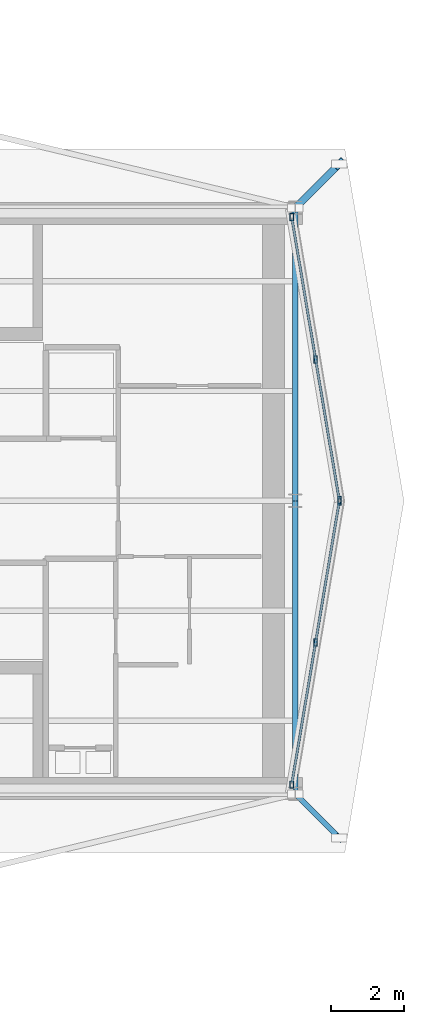
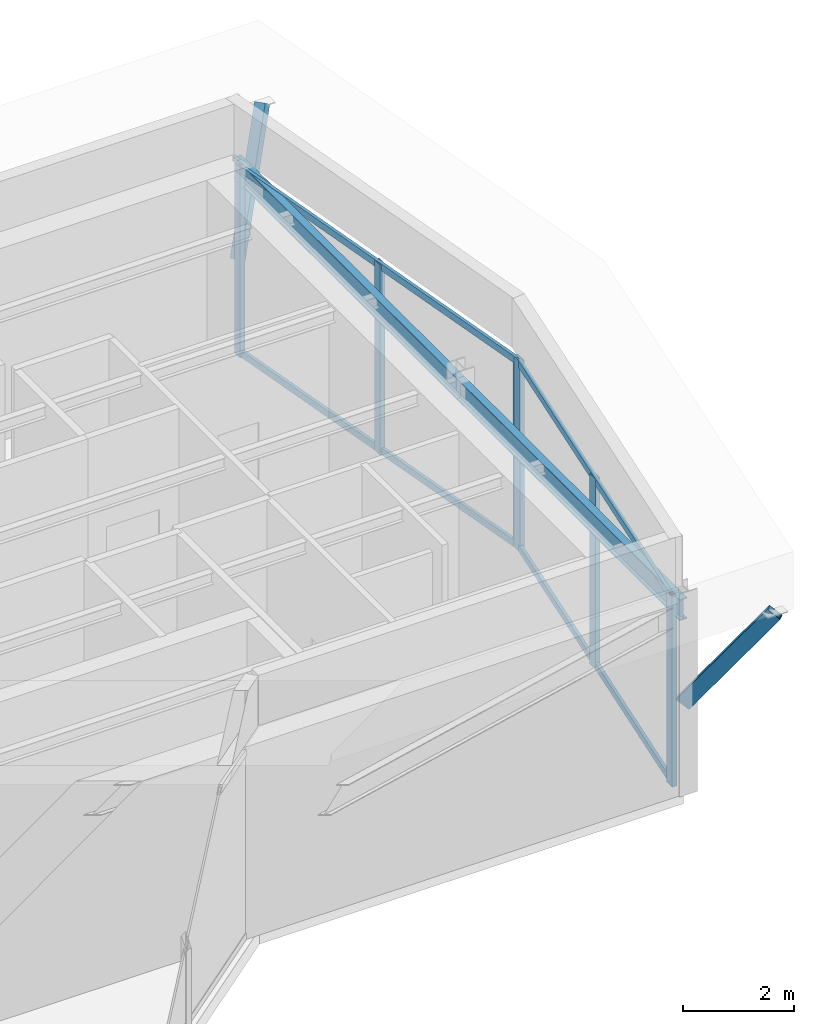
# One storey, part 7 of 11: 12 members, 2 beams, 2 elements without a shape of their own.
"""IFC4 building model written with IfcOpenShell, lengths in metres."""

from ifc_helpers import new_model, si_unit, direction, frame, origin, origin_2d, place, context, subcontext, project, spatial, hollow_rectangle, i_section, extrude, material, layer, layer_set, material_profile, profile_set, type_object, element, aggregate, save


model = new_model("IFC4")

# Units and contexts
model_context = context("Model", 3, precision=1e-05, world=origin(), true_north=direction((0.0, 1.0)))
body_context = subcontext(model_context, "Body", "Model", "MODEL_VIEW")
ifc_project = project(units=[si_unit("LENGTHUNIT", "METRE"), si_unit("AREAUNIT", "SQUARE_METRE"), si_unit("VOLUMEUNIT", "CUBIC_METRE"), si_unit("PLANEANGLEUNIT", "RADIAN"), si_unit("MASSUNIT", "GRAM", prefix="KILO")], contexts=[model_context])

# Site, building, storey
site_placement = place(None, origin())
site = spatial("IfcSite", under=ifc_project, at=site_placement, CompositionType="ELEMENT")
building_placement = place(site_placement, origin())
building = spatial("IfcBuilding", under=site, at=building_placement, Name="Veymaron Broadcast Tower", CompositionType="ELEMENT")
storey_placement = place(building_placement, frame((0.0, 0.0, 336.89990234375)))
storey = spatial("IfcBuildingStorey", under=building, at=storey_placement, Name="L79", CompositionType="ELEMENT", Elevation=336.89990234375)

# Beams
ifc_material_1 = material(Name="Structural steel ASTM A992 Gr 50", Category="steel")
ifc_material_profile_1 = material_profile(ifc_material_1, i_section(OverallWidth=0.154052734375, OverallDepth=0.458984375, WebThickness=0.009033203125, FlangeThickness=0.015380859375, at=origin_2d()), Name="W460X68")
ifc_profile_set_1 = profile_set([ifc_material_profile_1], Name="Structural steel ASTM A992 Gr 50")
beam_type = type_object("IfcBeamType", Name="BM-SP2", PredefinedType="SPANDREL", material=ifc_profile_set_1)
for number, where, z_axis, x_axis, name in (
    (1, (54.60009765625, 16.0, 3.940673828125), (0.0, 1.0, 0.0), (-1.0, 0.0, 0.0), "L79 primary structural floor girder"),
    (2, (54.60009765625, 24.0, 3.940673828125), (0.0, 1.0, 0.0), (-1.0, 0.0, 0.0), "L79 primary structural floor girder"),
):
    element("IfcBeam", number, at=place(storey_placement, frame(where, z_axis=z_axis, x_axis=x_axis)), inside=storey, type_object=beam_type, Name=name, PredefinedType="SPANDREL", context=body_context, shape_type="SweptSolid", body=[
        extrude(i_section(OverallWidth=0.154052734375, OverallDepth=0.458984375, WebThickness=0.009033203125, FlangeThickness=0.015380859375, at=origin_2d()), origin(), (0.0, 0.0, 1.0), 8.0),
    ])

# Curtain wall, members
ifc_material_2 = material(Name="Anodised aluminium AA 6063-T6 and laminated low-E dark glass", Category="aluminium")
ifc_layer = layer(ifc_material_2, 0.179931640625)
ifc_layer_set = layer_set([ifc_layer], Name="Anodised aluminium AA 6063-T6 and laminated low-E dark glass")
curtain_wall_type = type_object("IfcCurtainWallType", Name="CW-SYS-07", PredefinedType="NOTDEFINED", material=ifc_layer_set)
curtain_wall_1_placement = place(storey_placement, origin())
curtain_wall_1 = element("IfcCurtainWall", 3, at=curtain_wall_1_placement, inside=storey, type_object=curtain_wall_type, Name="L79 dark-glass curtain wall CW-L79-E2-1", PredefinedType="NOTDEFINED")
ifc_material_3 = material(Name="Anodised aluminium AA 6063-T6", Category="aluminium")
ifc_material_profile_2 = material_profile(ifc_material_3, hollow_rectangle(XDim=0.10009765625, YDim=0.199951171875, WallThickness=0.010009765625, at=origin_2d()), Name="RHS200X100X10")
ifc_profile_set_2 = profile_set([ifc_material_profile_2], Name="Anodised aluminium AA 6063-T6")
member_type_1 = type_object("IfcMemberType", Name="CW-MUL-01", PredefinedType="MULLION", material=ifc_profile_set_2)
member_1_placement = place(storey_placement, frame((54.5, 16.25048828125, 0.0), z_axis=(0.0, 0.0, 1.0), x_axis=(1.0, 0.0, 0.0)))
member_1 = element("IfcMember", 4, at=member_1_placement, type_object=member_type_1, Name="CW-L79-E2-1 mullion 0", PredefinedType="MULLION", context=body_context, shape_type="SweptSolid", body=[
    extrude(hollow_rectangle(XDim=0.10009765625, YDim=0.199951171875, WallThickness=0.010009765625, at=origin_2d()), origin(), (0.0, 0.0, 1.0), 4.170166015625),
])
member_2_placement = place(storey_placement, frame((55.153076171875, 20.13671875, 0.0), z_axis=(0.0, 0.0, 1.0), x_axis=(1.0, 0.0, 0.0)))
member_2 = element("IfcMember", 5, at=member_2_placement, type_object=member_type_1, Name="CW-L79-E2-1 mullion 1", PredefinedType="MULLION", context=body_context, shape_type="SweptSolid", body=[
    extrude(hollow_rectangle(XDim=0.10009765625, YDim=0.199951171875, WallThickness=0.010009765625, at=origin_2d()), origin(), (0.0, 0.0, 1.0), 4.170166015625),
])
member_3_placement = place(storey_placement, frame((55.805908203125, 24.023193359375, 0.0), z_axis=(0.0, 0.0, 1.0), x_axis=(1.0, 0.0, 0.0)))
member_3 = element("IfcMember", 6, at=member_3_placement, type_object=member_type_1, Name="CW-L79-E2-1 mullion 2", PredefinedType="MULLION", context=body_context, shape_type="SweptSolid", body=[
    extrude(hollow_rectangle(XDim=0.10009765625, YDim=0.199951171875, WallThickness=0.010009765625, at=origin_2d()), origin(), (0.0, 0.0, 1.0), 4.170166015625),
])

curtain_wall_2_placement = place(storey_placement, origin())
curtain_wall_2 = element("IfcCurtainWall", 7, at=curtain_wall_2_placement, inside=storey, type_object=curtain_wall_type, Name="L79 dark-glass curtain wall CW-L79-E3-1", PredefinedType="NOTDEFINED")
member_4_placement = place(storey_placement, frame((55.805908203125, 23.976806640625, 0.0), z_axis=(0.0, 0.0, 1.0), x_axis=(1.0, 0.0, 0.0)))
member_4 = element("IfcMember", 8, at=member_4_placement, type_object=member_type_1, Name="CW-L79-E3-1 mullion 0", PredefinedType="MULLION", context=body_context, shape_type="SweptSolid", body=[
    extrude(hollow_rectangle(XDim=0.10009765625, YDim=0.199951171875, WallThickness=0.010009765625, at=origin_2d()), origin(), (0.0, 0.0, 1.0), 4.170166015625),
])
member_5_placement = place(storey_placement, frame((55.153076171875, 27.86328125, 0.0), z_axis=(0.0, 0.0, 1.0), x_axis=(1.0, 0.0, 0.0)))
member_5 = element("IfcMember", 9, at=member_5_placement, type_object=member_type_1, Name="CW-L79-E3-1 mullion 1", PredefinedType="MULLION", context=body_context, shape_type="SweptSolid", body=[
    extrude(hollow_rectangle(XDim=0.10009765625, YDim=0.199951171875, WallThickness=0.010009765625, at=origin_2d()), origin(), (0.0, 0.0, 1.0), 4.170166015625),
])
member_6_placement = place(storey_placement, frame((54.5, 31.74951171875, 0.0), z_axis=(0.0, 0.0, 1.0), x_axis=(1.0, 0.0, 0.0)))
member_6 = element("IfcMember", 10, at=member_6_placement, type_object=member_type_1, Name="CW-L79-E3-1 mullion 2", PredefinedType="MULLION", context=body_context, shape_type="SweptSolid", body=[
    extrude(hollow_rectangle(XDim=0.10009765625, YDim=0.199951171875, WallThickness=0.010009765625, at=origin_2d()), origin(), (0.0, 0.0, 1.0), 4.170166015625),
])

# Member
ifc_material_profile_3 = material_profile(ifc_material_3, hollow_rectangle(XDim=0.06494140625, YDim=0.14990234375, WallThickness=0.00390625, at=origin_2d()), Name="AL150X65X4")
ifc_profile_set_3 = profile_set([ifc_material_profile_3], Name="Anodised aluminium AA 6063-T6")
member_type_2 = type_object("IfcMemberType", Name="CW-TRN-01", PredefinedType="USERDEFINED", material=ifc_profile_set_3)
member_7_placement = place(storey_placement, frame((54.50830078125, 16.2998046875, 0.070068359375), z_axis=(0.16568602877, 0.986178553747, 0.0), x_axis=(-0.986178553747, 0.16568602877, 0.0)))
member_7 = element("IfcMember", 11, at=member_7_placement, type_object=member_type_2, Name="CW-L79-E2-1 transom B", ObjectType="TRANSOM", PredefinedType="USERDEFINED", context=body_context, shape_type="SweptSolid", body=[
    extrude(hollow_rectangle(XDim=0.06494140625, YDim=0.14990234375, WallThickness=0.00390625, at=origin_2d()), origin(), (0.0, 0.0, 1.0), 7.78173828125),
])

member_8_placement = place(storey_placement, frame((54.50830078125, 16.2998046875, 4.10009765625), z_axis=(0.16568602877, 0.986178553747, 0.0), x_axis=(-0.986178553747, 0.16568602877, 0.0)))
member_8 = element("IfcMember", 12, at=member_8_placement, type_object=member_type_2, Name="CW-L79-E2-1 transom T", ObjectType="TRANSOM", PredefinedType="USERDEFINED", context=body_context, shape_type="SweptSolid", body=[
    extrude(hollow_rectangle(XDim=0.06494140625, YDim=0.14990234375, WallThickness=0.00390625, at=origin_2d()), origin(), (0.0, 0.0, 1.0), 7.78173828125),
])

aggregate(curtain_wall_1, [member_1, member_2, member_3, member_7, member_8])

member_9_placement = place(storey_placement, frame((55.797607421875, 24.026123046875, 0.070068359375), z_axis=(-0.16568602877, 0.986178553747, 0.0), x_axis=(-0.986178553747, -0.16568602877, 0.0)))
member_9 = element("IfcMember", 13, at=member_9_placement, type_object=member_type_2, Name="CW-L79-E3-1 transom B", ObjectType="TRANSOM", PredefinedType="USERDEFINED", context=body_context, shape_type="SweptSolid", body=[
    extrude(hollow_rectangle(XDim=0.06494140625, YDim=0.14990234375, WallThickness=0.00390625, at=origin_2d()), origin(), (0.0, 0.0, 1.0), 7.78173828125),
])

member_10_placement = place(storey_placement, frame((55.797607421875, 24.026123046875, 4.10009765625), z_axis=(-0.16568602877, 0.986178553747, 0.0), x_axis=(-0.986178553747, -0.16568602877, 0.0)))
member_10 = element("IfcMember", 14, at=member_10_placement, type_object=member_type_2, Name="CW-L79-E3-1 transom T", ObjectType="TRANSOM", PredefinedType="USERDEFINED", context=body_context, shape_type="SweptSolid", body=[
    extrude(hollow_rectangle(XDim=0.06494140625, YDim=0.14990234375, WallThickness=0.00390625, at=origin_2d()), origin(), (0.0, 0.0, 1.0), 7.78173828125),
])

aggregate(curtain_wall_2, [member_4, member_5, member_6, member_9, member_10])

# Members
ifc_material_profile_4 = material_profile(ifc_material_1, hollow_rectangle(XDim=0.14990234375, YDim=0.300048828125, WallThickness=0.011962890625, at=origin_2d()), Name="RHS300X150X12")
ifc_profile_set_4 = profile_set([ifc_material_profile_4], Name="Structural steel ASTM A992 Gr 50")
member_type_3 = type_object("IfcMemberType", Name="MEM-SR1", PredefinedType="STRUT", material=ifc_profile_set_4)
member_11_placement = place(storey_placement, frame((54.60009765625, 16.0, 1.900146484375), z_axis=(0.422185784874, -0.422185784874, 0.802195939967), x_axis=(0.707106781187, 0.707106781187, 0.0)))
element("IfcMember", 15, at=member_11_placement, inside=storey, type_object=member_type_3, Name="L79 Crown Parasol Strut 3", PredefinedType="STRUT", context=body_context, shape_type="SweptSolid", body=[
    extrude(hollow_rectangle(XDim=0.14990234375, YDim=0.300048828125, WallThickness=0.011962890625, at=origin_2d()), origin(), (0.0, 0.0, 1.0), 2.84228515625),
])
ifc_material_profile_5 = material_profile(ifc_material_1, hollow_rectangle(XDim=0.199951171875, YDim=0.39990234375, WallThickness=0.01611328125, at=origin_2d()), Name="RHS400X200X16")
ifc_profile_set_5 = profile_set([ifc_material_profile_5], Name="Structural steel ASTM A992 Gr 50")
member_type_4 = type_object("IfcMemberType", Name="MEM-SR2", PredefinedType="STRUT", material=ifc_profile_set_5)
member_12_placement = place(storey_placement, frame((54.60009765625, 32.0, 1.900146484375), z_axis=(0.422185784874, 0.422185784874, 0.802195939967), x_axis=(-0.707106781187, 0.707106781187, 0.0)))
element("IfcMember", 16, at=member_12_placement, inside=storey, type_object=member_type_4, Name="L79 Crown Parasol Strut 4", PredefinedType="STRUT", context=body_context, shape_type="SweptSolid", body=[
    extrude(hollow_rectangle(XDim=0.199951171875, YDim=0.39990234375, WallThickness=0.01611328125, at=origin_2d()), origin(), (0.0, 0.0, 1.0), 2.84228515625),
])

save(model, "model.ifc")
